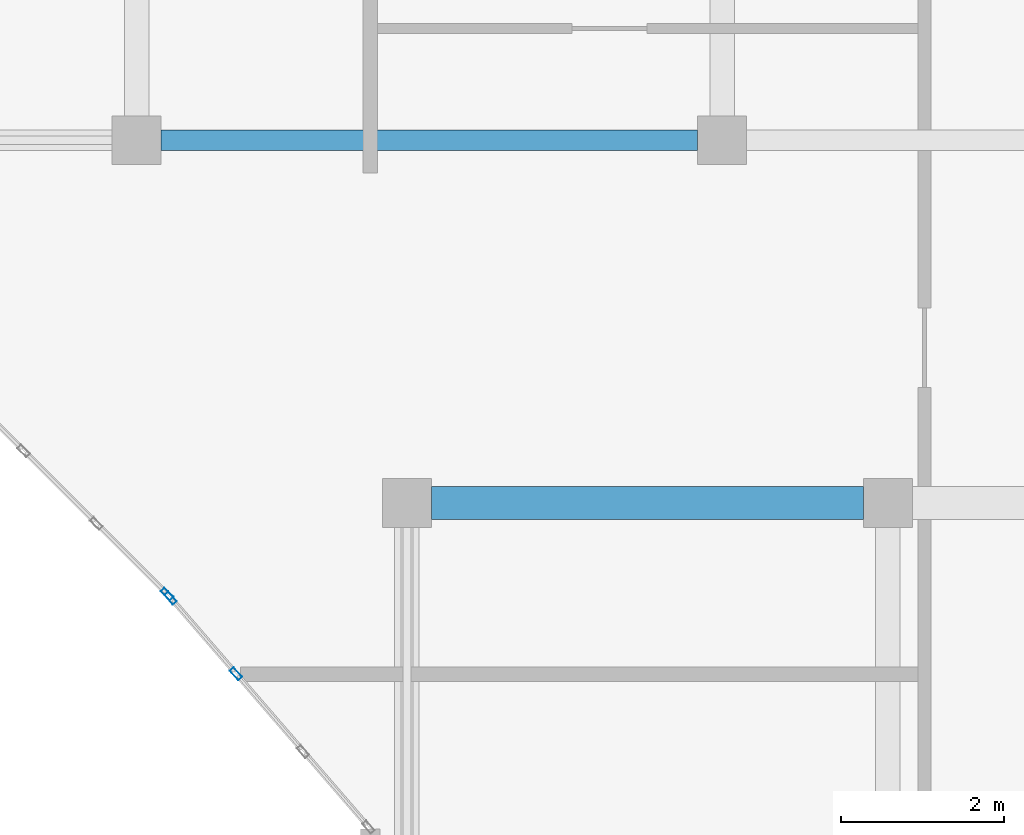
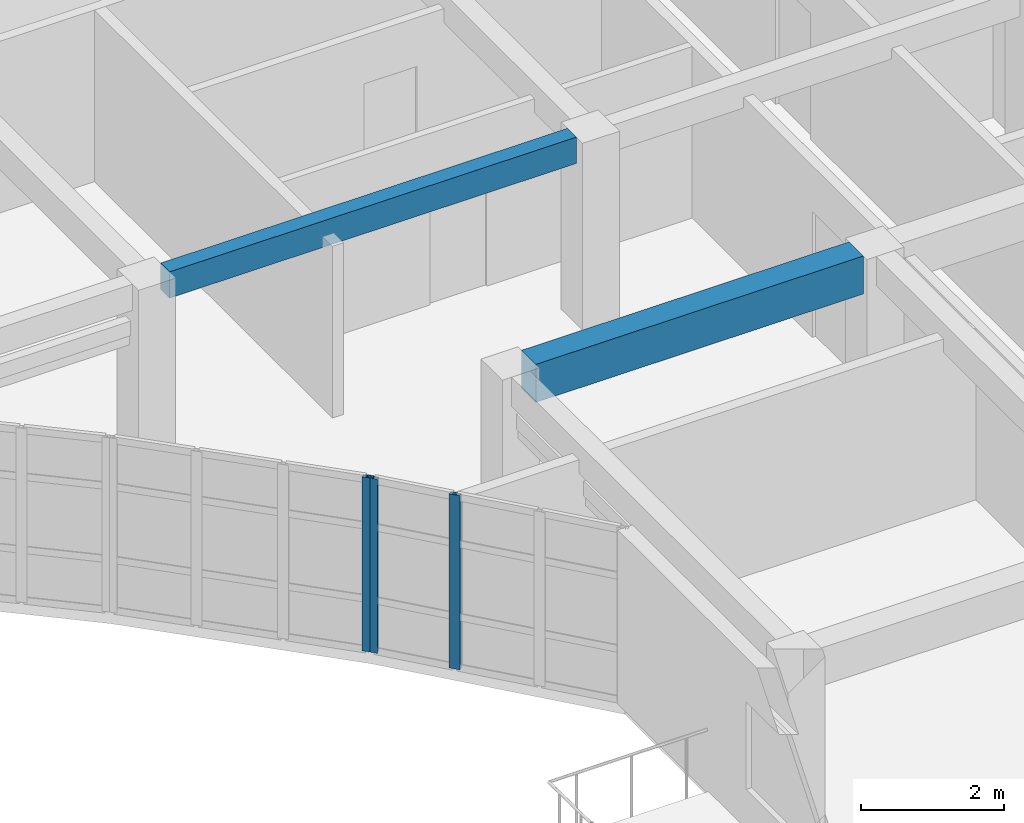
# One storey, part 13 of 72: 3 members, 2 beams, 2 elements without a shape of their own.
"""IFC4 building model written with IfcOpenShell, lengths in metres."""

from ifc_helpers import new_model, si_unit, direction, frame, origin, origin_2d, place, context, subcontext, project, spatial, rectangle, hollow_rectangle, extrude, material, layer, layer_set, material_profile, profile_set, type_object, element, aggregate, save


model = new_model("IFC4")

# Units and contexts
model_context = context("Model", 3, precision=1e-05, world=origin(), true_north=direction((0.0, 1.0)))
body_context = subcontext(model_context, "Body", "Model", "MODEL_VIEW")
ifc_project = project(units=[si_unit("LENGTHUNIT", "METRE"), si_unit("AREAUNIT", "SQUARE_METRE"), si_unit("VOLUMEUNIT", "CUBIC_METRE"), si_unit("PLANEANGLEUNIT", "RADIAN"), si_unit("MASSUNIT", "GRAM", prefix="KILO")], contexts=[model_context])

# Site, building, storey
site_placement = place(None, origin())
site = spatial("IfcSite", under=ifc_project, at=site_placement, CompositionType="ELEMENT")
building_placement = place(site_placement, origin())
building = spatial("IfcBuilding", under=site, at=building_placement, Name="Keldmere Railside Commons", CompositionType="ELEMENT")
storey_placement = place(building_placement, frame((0.0, 0.0, 16.9599609375)))
storey = spatial("IfcBuildingStorey", under=building, at=storey_placement, Name="L05", CompositionType="ELEMENT", Elevation=16.9599609375)

# Beams
ifc_material_1 = material(Name="Architectural Precast Concrete H-35 (C35/45)", Category="concrete")
ifc_material_profile_1 = material_profile(ifc_material_1, rectangle(XDim=0.25, YDim=0.449951171875, at=origin_2d()), Name="RC-250x450")
ifc_profile_set_1 = profile_set([ifc_material_profile_1], Name="Architectural Precast Concrete H-35 (C35/45)")
beam_type_1 = type_object("IfcBeamType", Name="Perimeter Precast Spandrel Beam 250x450", PredefinedType="SPANDREL", material=ifc_profile_set_1)
beam_1_placement = place(storey_placement, frame((101.43310546875, 100.449951171875, 2.97509765625), z_axis=(1.0, 0.0, 0.0), x_axis=(0.0, 1.0, 0.0)))
element("IfcBeam", 1, at=beam_1_placement, inside=storey, type_object=beam_type_1, Name="SPB-1 BM-L05-1733", PredefinedType="SPANDREL", context=body_context, shape_type="SweptSolid", body=[
    extrude(rectangle(XDim=0.25, YDim=0.449951171875, at=origin_2d()), origin(), (0.0, 0.0, 1.0), 6.583984375),
])
ifc_material_2 = material(Name="Concrete H-30 (C30/37)", Category="concrete")
ifc_material_profile_2 = material_profile(ifc_material_2, rectangle(XDim=0.39990234375, YDim=0.64990234375, at=origin_2d()), Name="RC-400x650")
ifc_profile_set_2 = profile_set([ifc_material_profile_2], Name="Concrete H-30 (C30/37)")
beam_type_2 = type_object("IfcBeamType", Name="Residential Spine RC Girder 400x650", PredefinedType="BEAM", material=ifc_profile_set_2)
beam_2_placement = place(storey_placement, frame((104.75, 96.0, 2.875), z_axis=(1.0, 0.0, 0.0), x_axis=(0.0, 1.0, 0.0)))
element("IfcBeam", 2, at=beam_2_placement, inside=storey, type_object=beam_type_2, Name="BG-3 BM-L05-1724", PredefinedType="BEAM", context=body_context, shape_type="SweptSolid", body=[
    extrude(rectangle(XDim=0.39990234375, YDim=0.64990234375, at=origin_2d()), origin(), (0.0, 0.0, 1.0), 5.300048828125),
])

# Curtain wall, member
ifc_material_3 = material(Name="Thermally Broken Aluminium", Category="aluminium")
ifc_layer_1 = layer(ifc_material_3, 0.159912109375, Name="Court Chord Wintergarden CW 5400x2850")
ifc_layer_set_1 = layer_set([ifc_layer_1], Name="Thermally Broken Aluminium")
curtain_wall_type_1 = type_object("IfcCurtainWallType", Name="Court Chord Wintergarden CW 5400x2850", PredefinedType="NOTDEFINED", material=ifc_layer_set_1)
curtain_wall_1_placement = place(storey_placement, origin())
curtain_wall_1 = element("IfcCurtainWall", 3, at=curtain_wall_1_placement, inside=storey, type_object=curtain_wall_type_1, Name="CW-13 CW-L05-119", PredefinedType="NOTDEFINED")
ifc_material_profile_3 = material_profile(ifc_material_3, hollow_rectangle(XDim=0.06494140625, YDim=0.159912109375, WallThickness=0.00390625, at=origin_2d()), Name="ALU-MULL-65x160")
ifc_profile_set_3 = profile_set([ifc_material_profile_3], Name="Thermally Broken Aluminium")
member_type = type_object("IfcMemberType", Name="Unitised Curtain Wall Mullion 65x160", PredefinedType="MULLION", material=ifc_profile_set_3)
member_1_placement = place(storey_placement, frame((101.507080078125, 94.880859375, 0.0), z_axis=(0.0, 0.0, 1.0), x_axis=(-0.707106781187, -0.707106781187, 0.0)))
member_1 = element("IfcMember", 4, at=member_1_placement, type_object=member_type, Name="CW-13 mullion 1", PredefinedType="MULLION", context=body_context, shape_type="SweptSolid", body=[
    extrude(hollow_rectangle(XDim=0.06494140625, YDim=0.159912109375, WallThickness=0.00390625, at=origin_2d()), origin(), (0.0, 0.0, 1.0), 2.97998046875),
])
aggregate(curtain_wall_1, [member_1])

# Curtain wall, members
ifc_layer_2 = layer(ifc_material_3, 0.159912109375, Name="Court Chord Wintergarden CW 4800x2850")
ifc_layer_set_2 = layer_set([ifc_layer_2], Name="Thermally Broken Aluminium")
curtain_wall_type_2 = type_object("IfcCurtainWallType", Name="Court Chord Wintergarden CW 4800x2850", PredefinedType="NOTDEFINED", material=ifc_layer_set_2)
curtain_wall_2_placement = place(storey_placement, origin())
curtain_wall_2 = element("IfcCurtainWall", 5, at=curtain_wall_2_placement, inside=storey, type_object=curtain_wall_type_2, Name="CW-12 CW-L05-120", PredefinedType="NOTDEFINED")
member_2_placement = place(storey_placement, frame((102.353271484375, 93.9052734375, 0.0), z_axis=(0.0, 0.0, 1.0), x_axis=(-0.756596767584, -0.653881741053, 0.0)))
member_2 = element("IfcMember", 6, at=member_2_placement, type_object=member_type, Name="CW-12 mullion 3", PredefinedType="MULLION", context=body_context, shape_type="SweptSolid", body=[
    extrude(hollow_rectangle(XDim=0.06494140625, YDim=0.159912109375, WallThickness=0.00390625, at=origin_2d()), origin(), (0.0, 0.0, 1.0), 2.97998046875),
])
member_3_placement = place(storey_placement, frame((101.55126953125, 94.83349609375, 0.0), z_axis=(0.0, 0.0, 1.0), x_axis=(-0.756596767584, -0.653881741053, 0.0)))
member_3 = element("IfcMember", 7, at=member_3_placement, type_object=member_type, Name="CW-12 mullion 4", PredefinedType="MULLION", context=body_context, shape_type="SweptSolid", body=[
    extrude(hollow_rectangle(XDim=0.06494140625, YDim=0.159912109375, WallThickness=0.00390625, at=origin_2d()), origin(), (0.0, 0.0, 1.0), 2.97998046875),
])
aggregate(curtain_wall_2, [member_2, member_3])

save(model, "model.ifc")
